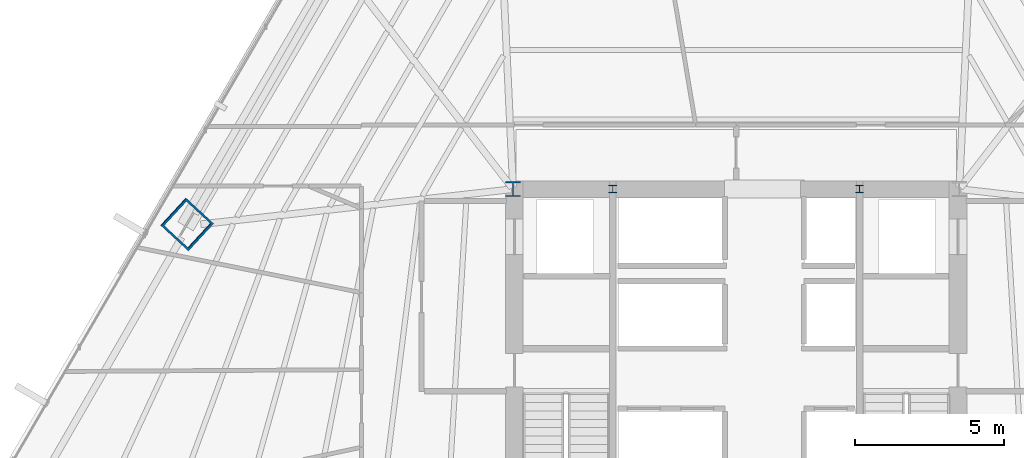
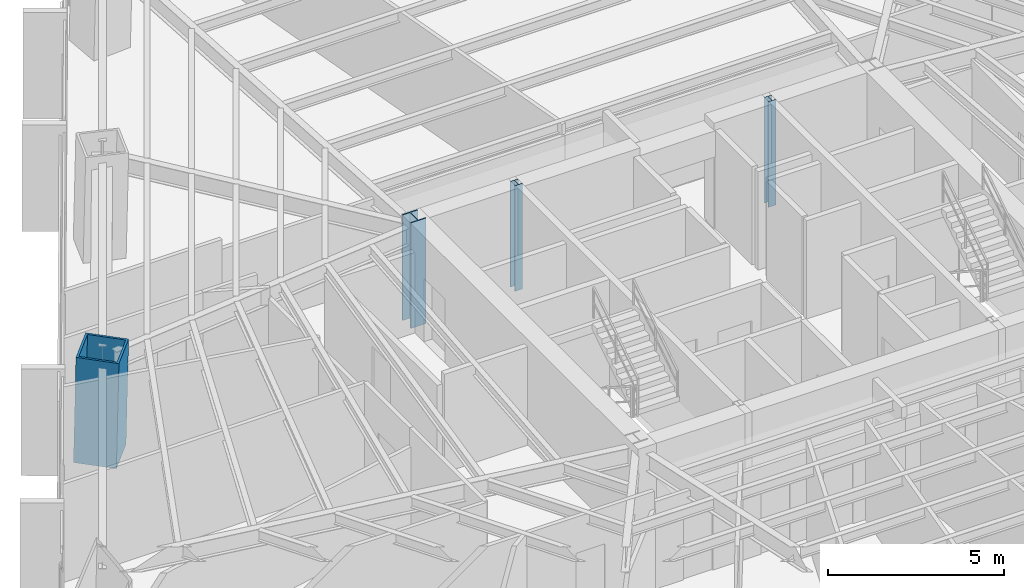
# One storey, part 2 of 38: 4 columns.
"""IFC4 building model written with IfcOpenShell, lengths in metres."""

from ifc_helpers import new_model, si_unit, direction, frame, origin, origin_2d, place, context, subcontext, project, spatial, hollow_rectangle, i_section, extrude, source, transform, mapped, material, material_profile, profile_set, type_object, type_shapes, element, save


model = new_model("IFC4")

# Units and contexts
model_context = context("Model", 3, precision=1e-05, world=origin(), true_north=direction((0.0, 1.0)))
body_context = subcontext(model_context, "Body", "Model", "MODEL_VIEW")
ifc_project = project(units=[si_unit("LENGTHUNIT", "METRE"), si_unit("AREAUNIT", "SQUARE_METRE"), si_unit("VOLUMEUNIT", "CUBIC_METRE"), si_unit("PLANEANGLEUNIT", "RADIAN"), si_unit("MASSUNIT", "GRAM", prefix="KILO")], contexts=[model_context])

# Site, building, storey
site_placement = place(None, origin())
site = spatial("IfcSite", under=ifc_project, at=site_placement, CompositionType="ELEMENT")
building_placement = place(site_placement, origin())
building = spatial("IfcBuilding", under=site, at=building_placement, Name="Caelisora Broadcast Tower", CompositionType="ELEMENT")
storey_placement = place(building_placement, frame((0.0, 0.0, 67.75)))
storey = spatial("IfcBuildingStorey", under=building, at=storey_placement, Name="L17", CompositionType="ELEMENT", Elevation=67.75)

# Columns
ifc_material_1 = material(Name="Steel Grade 350 (AS/NZS 3679.2)", Category="steel")
ifc_material_profile_1 = material_profile(ifc_material_1, i_section(OverallWidth=0.5, OverallDepth=0.5, WebThickness=0.028076171875, FlangeThickness=0.0400390625, at=origin_2d()), Name="Steel Grade 350 (AS/NZS 3679.2)")
ifc_profile_set_1 = profile_set([ifc_material_profile_1], Name="Steel Grade 350 (AS/NZS 3679.2)")
column_type_1 = type_object("IfcColumnType", Name="CC01", PredefinedType="COLUMN", material=ifc_profile_set_1)
shared_shape_1 = source(origin(), body_context, "Body", "SweptSolid", [
    extrude(i_section(OverallWidth=0.5, OverallDepth=0.5, WebThickness=0.028076171875, FlangeThickness=0.0400390625, at=origin_2d()), origin(), (0.0, 0.0, 1.0), 3.64990234375),
])
type_shapes(column_type_1, [shared_shape_1])
column_1_placement = place(storey_placement, frame((30.5, 30.0, 0.0), z_axis=(0.0, 0.0, 1.0), x_axis=(1.0, 0.0, 0.0)))
element("IfcColumn", 1, at=column_1_placement, inside=storey, type_object=column_type_1, Name="L17 column CC01", PredefinedType="COLUMN", context=body_context, shape_type="MappedRepresentation", body=[
    mapped(shared_shape_1, transform((0.0, 0.0, 0.0), scale=1.0)),
])
ifc_material_2 = material(Name="Steel Grade 350 L15 (AS/NZS 3678)", Category="steel")
ifc_material_profile_2 = material_profile(ifc_material_2, hollow_rectangle(XDim=1.25, YDim=1.25, WallThickness=0.070068359375, at=origin_2d()), Name="Steel Grade 350 L15 (AS/NZS 3678)")
ifc_profile_set_2 = profile_set([ifc_material_profile_2], Name="Steel Grade 350 L15 (AS/NZS 3678)")
column_type_2 = type_object("IfcColumnType", Name="MC02", PredefinedType="COLUMN", material=ifc_profile_set_2)
shared_shape_2 = source(origin(), body_context, "Body", "SweptSolid", [
    extrude(hollow_rectangle(XDim=1.25, YDim=1.25, WallThickness=0.070068359375, at=origin_2d()), origin(), (0.0, 0.0, 1.0), 3.650634765625),
])
type_shapes(column_type_2, [shared_shape_2])
column_2_placement = place(storey_placement, frame((19.5322265625, 28.822265625, 0.0), z_axis=(0.014913313399, -0.013776424037, 0.999793880369), x_axis=(0.678553674548, 0.734550822447, 0.0)))
element("IfcColumn", 2, at=column_2_placement, inside=storey, type_object=column_type_2, Name="L17 column MC02", PredefinedType="COLUMN", context=body_context, shape_type="MappedRepresentation", body=[
    mapped(shared_shape_2, transform((0.0, 0.0, 0.0), scale=1.0)),
])
ifc_material_3 = material(Name="Steel Grade 350 (AS/NZS 3679.1)", Category="steel")
ifc_material_profile_3 = material_profile(ifc_material_3, i_section(OverallWidth=0.256103515625, OverallDepth=0.260009765625, WebThickness=0.010498046875, FlangeThickness=0.017333984375, at=origin_2d()), Name="Steel Grade 350 (AS/NZS 3679.1)")
ifc_profile_set_3 = profile_set([ifc_material_profile_3], Name="Steel Grade 350 (AS/NZS 3679.1)")
column_type_3 = type_object("IfcColumnType", Name="CC05", PredefinedType="COLUMN", material=ifc_profile_set_3)
shared_shape_3 = source(origin(), body_context, "Body", "SweptSolid", [
    extrude(i_section(OverallWidth=0.256103515625, OverallDepth=0.260009765625, WebThickness=0.010498046875, FlangeThickness=0.017333984375, at=origin_2d()), origin(), (0.0, 0.0, 1.0), 3.64990234375),
])
type_shapes(column_type_3, [shared_shape_3])
for number, where, z_axis, x_axis, name in (
    (3, (33.85009765625, 30.0, 0.0), (0.0, 0.0, 1.0), (1.0, 0.0, 0.0), "L17 column CC05"),
    (4, (42.14990234375, 30.0, 0.0), (0.0, 0.0, 1.0), (1.0, 0.0, 0.0), "L17 column CC05"),
):
    element("IfcColumn", number, at=place(storey_placement, frame(where, z_axis=z_axis, x_axis=x_axis)), inside=storey, type_object=column_type_3, Name=name, PredefinedType="COLUMN", context=body_context, shape_type="MappedRepresentation", body=[
        mapped(shared_shape_3, transform((0.0, 0.0, 0.0), scale=1.0)),
    ])

save(model, "model.ifc")
